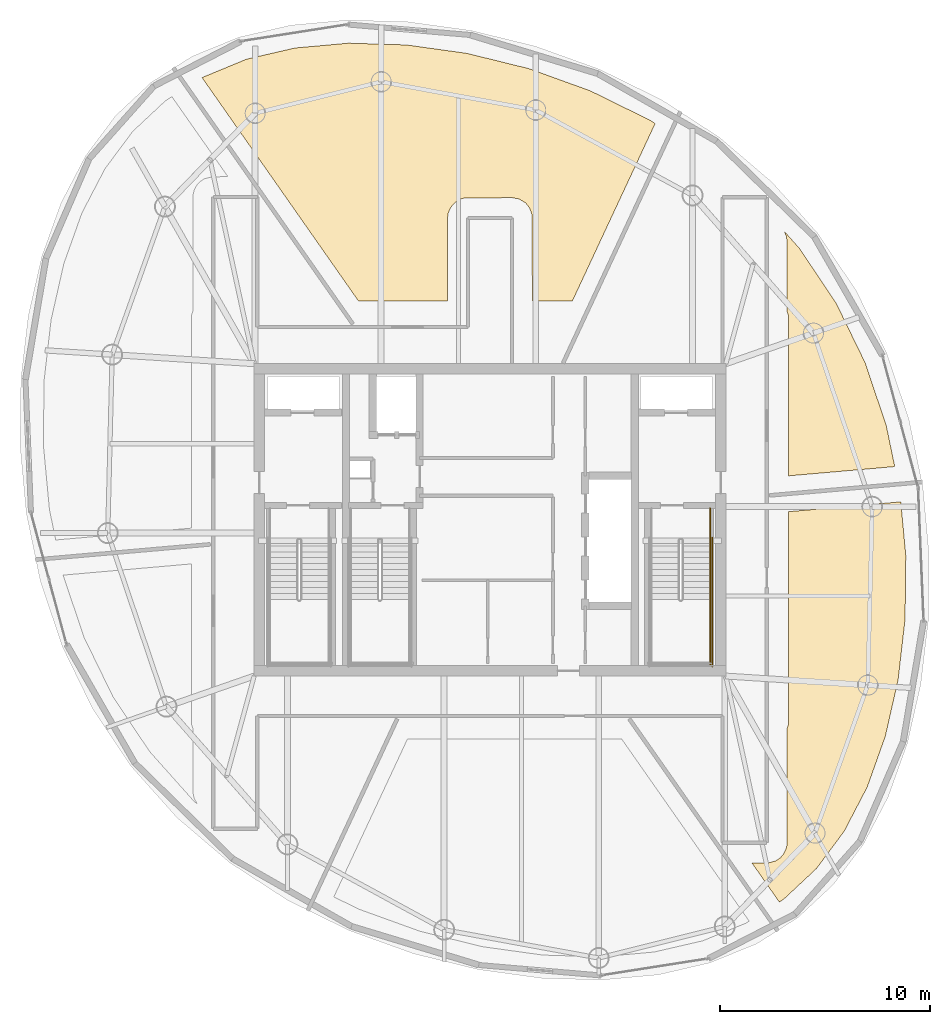
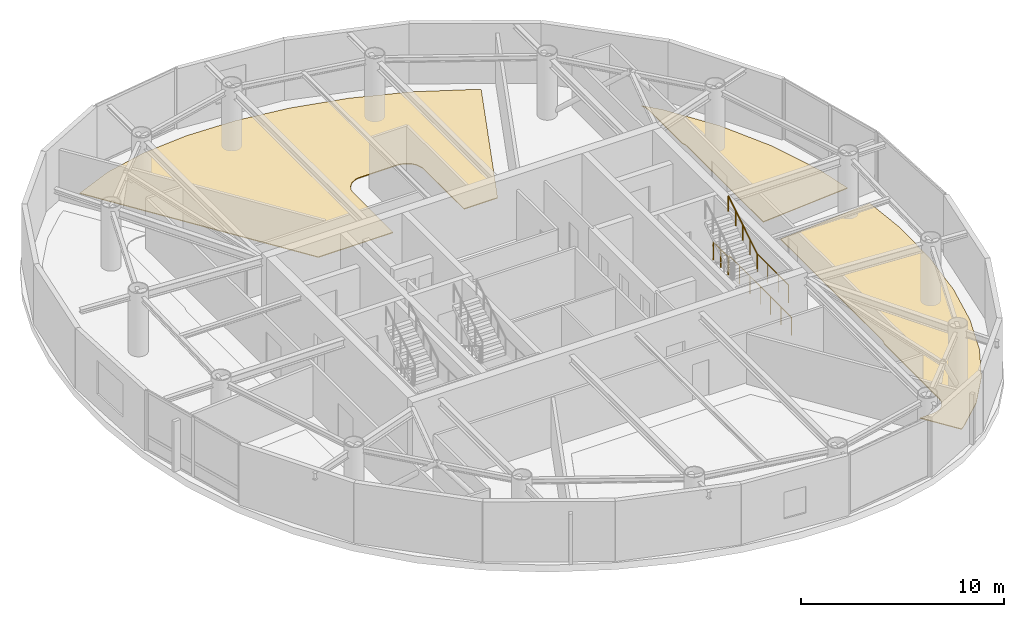
# One storey, part 20 of 20: 4 railings, 3 coverings.
"""IFC4 building model written with IfcOpenShell, lengths in metres."""

from ifc_helpers import new_model, si_unit, direction, frame, origin, origin_2d, place, context, subcontext, project, spatial, polyline, circle, outline, extrude, material, layer, layer_set, type_object, element, save


model = new_model("IFC4")

# Units and contexts
model_context = context("Model", 3, precision=1e-05, world=origin(), true_north=direction((0.0, 1.0)))
body_context = subcontext(model_context, "Body", "Model", "MODEL_VIEW")
ifc_project = project(units=[si_unit("LENGTHUNIT", "METRE"), si_unit("AREAUNIT", "SQUARE_METRE"), si_unit("VOLUMEUNIT", "CUBIC_METRE"), si_unit("PLANEANGLEUNIT", "RADIAN"), si_unit("MASSUNIT", "GRAM", prefix="KILO")], contexts=[model_context])

# Site, building, storey
site_placement = place(None, origin())
site = spatial("IfcSite", under=ifc_project, at=site_placement, CompositionType="ELEMENT")
building_placement = place(site_placement, origin())
building = spatial("IfcBuilding", under=site, at=building_placement, Name="Bramvorn Convention Spire", CompositionType="ELEMENT")
storey_placement = place(building_placement, frame((0.0, 0.0, 242.050048828125)))
storey = spatial("IfcBuildingStorey", under=building, at=storey_placement, Name="L61", CompositionType="ELEMENT", Elevation=242.050048828125)

# Coverings
ifc_material_1 = material(Name="Calcium-Sulphate Raised Access Office Floor", Category="steel")
ifc_layer = layer(ifc_material_1, 0.044921875)
ifc_layer_set = layer_set([ifc_layer], Name="Calcium-Sulphate Raised Access Office Floor - FLR-RAISED-45")
covering_type = type_object("IfcCoveringType", Name="FLR-RAISED-45", PredefinedType="FLOORING", material=ifc_layer_set)
covering_1_placement = place(storey_placement, origin())
element("IfcCovering", 1, at=covering_1_placement, inside=storey, type_object=covering_type, Name="L61 Open-Plan Engineering Office A 1 raised floor finish", PredefinedType="FLOORING", context=body_context, shape_type="SweptSolid", body=[
    extrude(outline(polyline([(52.135498046875, 39.53369140625), (52.1689453125, 39.322509765625), (52.169921875, 35.95751953125), (52.233642578125, 35.765869140625), (52.25, 35.60009765625), (52.25, 28.10009765625), (57.310302734375, 28.542724609375), (56.90478515625, 30.49853515625), (55.896484375, 33.498291015625), (54.514404296875, 36.3349609375), (52.765380859375, 38.9501953125), (52.035888671875, 39.768310546875), (52.135498046875, 39.53369140625)])), origin(), (0.0, 0.0, 1.0), 0.044921875),
])
covering_2_placement = place(storey_placement, origin())
element("IfcCovering", 2, at=covering_2_placement, inside=storey, type_object=covering_type, Name="L61 Open-Plan Engineering Office B 2 raised floor finish", PredefinedType="FLOORING", context=body_context, shape_type="SweptSolid", body=[
    extrude(outline(polyline([(24.262939453125, 47.1005859375), (31.720458984375, 36.449951171875), (35.97998046875, 36.449951171875), (35.98095703125, 40.441650390625), (36.010498046875, 40.641357421875), (36.12109375, 40.90380859375), (36.376953125, 41.1826171875), (36.61767578125, 41.311279296875), (36.802001953125, 41.3583984375), (39.050048828125, 41.3701171875), (39.38232421875, 41.311279296875), (39.697021484375, 41.12255859375), (39.885009765625, 40.8935546875), (40.008544921875, 40.548095703125), (40.02001953125, 36.449951171875), (41.93505859375, 36.449951171875), (45.8779296875, 44.905517578125), (45.619384765625, 45.073974609375), (42.785888671875, 46.46875), (39.8505859375, 47.528564453125), (36.8974609375, 48.256103515625), (34.008056640625, 48.658203125), (31.255615234375, 48.741455078125), (28.69970703125, 48.512451171875), (26.382080078125, 47.97705078125), (24.262939453125, 47.1005859375)])), origin(), (0.0, 0.0, 1.0), 0.044921875),
])
covering_3_placement = place(storey_placement, origin())
element("IfcCovering", 3, at=covering_3_placement, inside=storey, type_object=covering_type, Name="L61 Staff Kitchenette 6 raised floor finish", PredefinedType="FLOORING", context=body_context, shape_type="SweptSolid", body=[
    extrude(outline(polyline([(51.8017578125, 7.77099609375), (52.011474609375, 7.904052734375), (53.57080078125, 9.36279296875), (54.898681640625, 11.147216796875), (55.99755859375, 13.257080078125), (56.85888671875, 15.67431640625), (57.467529296875, 18.35986328125), (57.802001953125, 21.2578125), (57.8369140625, 24.299072265625), (57.596923828125, 26.861328125), (52.25, 26.3935546875), (52.25, 16.39990234375), (52.233642578125, 16.234130859375), (52.169921875, 16.04248046875), (52.16015625, 10.46337890625), (52.111083984375, 10.267578125), (51.982421875, 10.027099609375), (51.846923828125, 9.87744140625), (51.6201171875, 9.725830078125), (51.25341796875, 9.631591796875), (50.5, 9.6298828125), (51.8017578125, 7.77099609375)])), origin(), (0.0, 0.0, 1.0), 0.044921875),
])

# Railings
ifc_material_2 = material(Name="Painted Steel Balustrade & Guardrail", Category="steel")
railing_type_1 = type_object("IfcRailingType", Name="RL-STAIR-GUARD-1100", PredefinedType="GUARDRAIL", material=ifc_material_2)
railing_1_placement = place(storey_placement, frame((48.5, 22.199951171875, 1.925048828125)))
element("IfcRailing", 4, at=railing_1_placement, inside=storey, type_object=railing_type_1, Name="L61 ST2 stair guard 4", PredefinedType="GUARDRAIL", context=body_context, shape_type="SweptSolid", body=[
    extrude(circle(Radius=0.02392578125, at=origin_2d()), frame((0.0, 0.0, 1.076171875), z_axis=(0.0, -1.0, 0.0), x_axis=(1.0, 0.0, 0.0)), (0.0, 0.0, 1.0), 3.099853515625),
    extrude(circle(Radius=0.02099609375, at=origin_2d()), origin(), (0.0, 0.0, 1.0), 1.052001953125),
    extrude(circle(Radius=0.02099609375, at=origin_2d()), frame((0.0, -1.033203125, 0.0)), (0.0, 0.0, 1.0), 1.052001953125),
    extrude(circle(Radius=0.02099609375, at=origin_2d()), frame((0.0, -2.066650390625, 0.0)), (0.0, 0.0, 1.0), 1.052001953125),
    extrude(circle(Radius=0.02099609375, at=origin_2d()), frame((0.0, -3.099853515625, 0.0)), (0.0, 0.0, 1.0), 1.052001953125),
])
railing_2_placement = place(storey_placement, frame((48.5, 26.550048828125, 0.0)))
element("IfcRailing", 5, at=railing_2_placement, inside=storey, type_object=railing_type_1, Name="L61 ST2 stair guard 9", PredefinedType="GUARDRAIL", context=body_context, shape_type="SweptSolid", body=[
    extrude(circle(Radius=0.02392578125, at=origin_2d()), frame((0.0, 0.0, 1.076171875), z_axis=(0.0, -1.0, 0.0), x_axis=(1.0, 0.0, 0.0)), (0.0, 0.0, 1.0), 1.5),
    extrude(circle(Radius=0.02099609375, at=origin_2d()), origin(), (0.0, 0.0, 1.0), 1.052001953125),
    extrude(circle(Radius=0.02099609375, at=origin_2d()), frame((0.0, -0.75, 0.0)), (0.0, 0.0, 1.0), 1.052001953125),
    extrude(circle(Radius=0.02099609375, at=origin_2d()), frame((0.0, -1.5, 0.0)), (0.0, 0.0, 1.0), 1.052001953125),
])
railing_3_placement = place(storey_placement, frame((48.60009765625, 25.14990234375, 0.0)))
element("IfcRailing", 6, at=railing_3_placement, inside=storey, type_object=railing_type_1, Name="L61 ST2 stair guard 11", PredefinedType="GUARDRAIL", context=body_context, shape_type="SweptSolid", body=[
    extrude(circle(Radius=0.02392578125, at=origin_2d()), frame((0.0, 0.0, 1.076171875), z_axis=(0.0, -1.0, 0.0), x_axis=(1.0, 0.0, 0.0)), (0.0, 0.0, 1.0), 6.14990234375),
    extrude(circle(Radius=0.02099609375, at=origin_2d()), origin(), (0.0, 0.0, 1.0), 1.052001953125),
    extrude(circle(Radius=0.02099609375, at=origin_2d()), frame((0.0, -1.02490234375, 0.0)), (0.0, 0.0, 1.0), 1.052001953125),
    extrude(circle(Radius=0.02099609375, at=origin_2d()), frame((0.0, -2.050048828125, 0.0)), (0.0, 0.0, 1.0), 1.052001953125),
    extrude(circle(Radius=0.02099609375, at=origin_2d()), frame((0.0, -3.074951171875, 0.0)), (0.0, 0.0, 1.0), 1.052001953125),
    extrude(circle(Radius=0.02099609375, at=origin_2d()), frame((0.0, -4.099853515625, 0.0)), (0.0, 0.0, 1.0), 1.052001953125),
    extrude(circle(Radius=0.02099609375, at=origin_2d()), frame((0.0, -5.125, 0.0)), (0.0, 0.0, 1.0), 1.052001953125),
    extrude(circle(Radius=0.02099609375, at=origin_2d()), frame((0.0, -6.14990234375, 0.0)), (0.0, 0.0, 1.0), 1.052001953125),
])
ifc_material_3 = material(Name="Brushed Bronze Tubular Handrail", Category="aluminium")
railing_type_2 = type_object("IfcRailingType", Name="RL-STAIR-HR-920", PredefinedType="HANDRAIL", material=ifc_material_3)
railing_4_placement = place(storey_placement, frame((48.5, 22.199951171875, 2.099853515625)))
element("IfcRailing", 7, at=railing_4_placement, inside=storey, type_object=railing_type_2, Name="L61 ST2 stair handrail 2", PredefinedType="HANDRAIL", context=body_context, shape_type="SweptSolid", body=[
    extrude(circle(Radius=0.02392578125, at=origin_2d()), frame((0.0, 0.0, 0.89599609375), z_axis=(0.0, 0.852179220489, 0.52325001306), x_axis=(-1.0, 0.0, 0.0)), (0.0, 0.0, 1.0), 3.344482421875),
    extrude(circle(Radius=0.02099609375, at=origin_2d()), origin(), (0.0, 0.0, 1.0), 0.871826171875),
    extrude(circle(Radius=0.02099609375, at=origin_2d()), frame((0.0, 0.71240234375, 0.4375)), (0.0, 0.0, 1.0), 0.871826171875),
    extrude(circle(Radius=0.02099609375, at=origin_2d()), frame((0.0, 1.425048828125, 0.875)), (0.0, 0.0, 1.0), 0.871826171875),
    extrude(circle(Radius=0.02099609375, at=origin_2d()), frame((0.0, 2.1376953125, 1.3125)), (0.0, 0.0, 1.0), 0.871826171875),
    extrude(circle(Radius=0.02099609375, at=origin_2d()), frame((0.0, 2.85009765625, 1.75)), (0.0, 0.0, 1.0), 0.871826171875),
])

save(model, "model.ifc")
